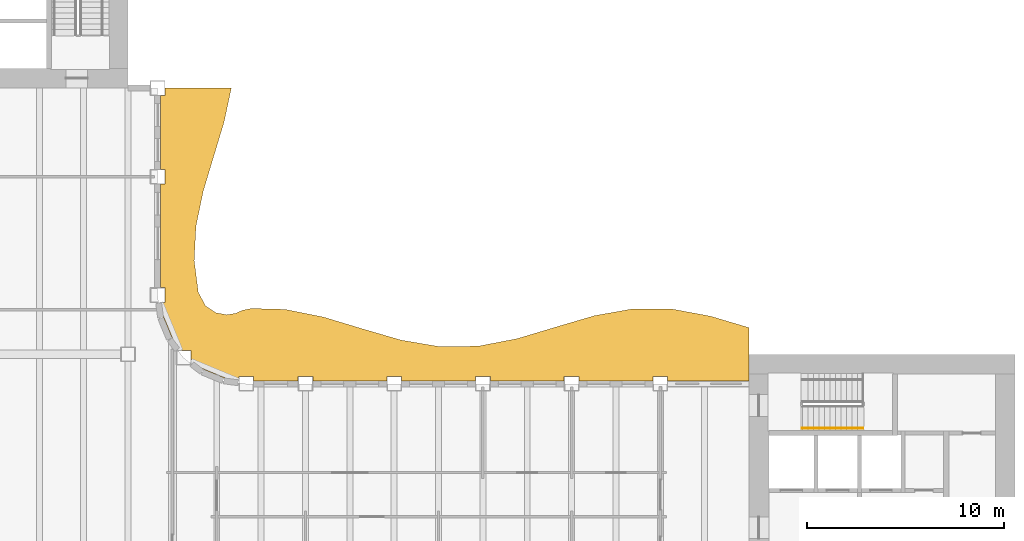
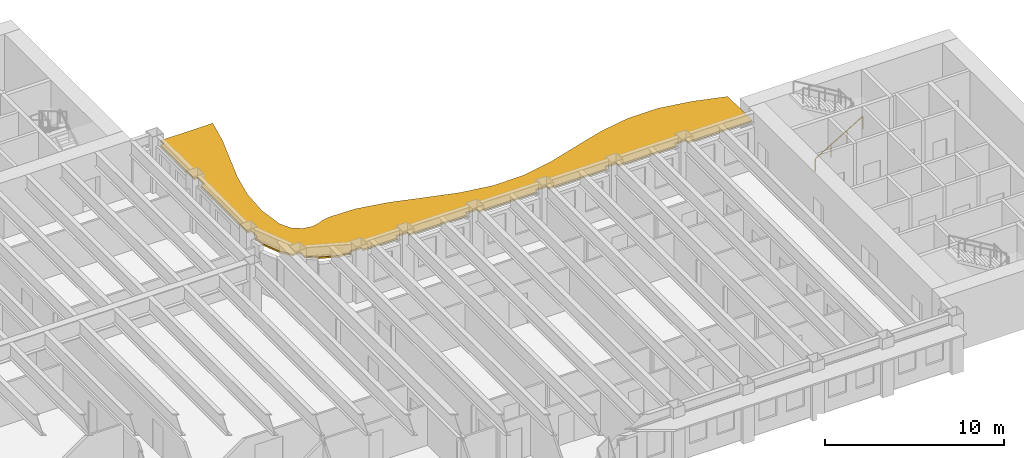
# One storey, part 15 of 17: 1 railing, 1 shading device.
"""IFC4 building model written with IfcOpenShell, lengths in metres."""

from ifc_helpers import new_model, si_unit, direction, frame, origin, origin_2d, place, context, subcontext, project, spatial, polyline, rectangle, outline, extrude, material, layer, layer_set, type_object, element, save


model = new_model("IFC4")

# Units and contexts
model_context = context("Model", 3, precision=1e-05, world=origin(), true_north=direction((0.0, 1.0)))
body_context = subcontext(model_context, "Body", "Model", "MODEL_VIEW")
ifc_project = project(units=[si_unit("LENGTHUNIT", "METRE"), si_unit("AREAUNIT", "SQUARE_METRE"), si_unit("VOLUMEUNIT", "CUBIC_METRE"), si_unit("PLANEANGLEUNIT", "RADIAN"), si_unit("MASSUNIT", "GRAM", prefix="KILO")], contexts=[model_context])

# Site, building, storey
site_placement = place(None, origin())
site = spatial("IfcSite", under=ifc_project, at=site_placement, CompositionType="ELEMENT")
building_placement = place(site_placement, origin())
building = spatial("IfcBuilding", under=site, at=building_placement, Name="Sennacour Bend Tower", CompositionType="ELEMENT")
storey_placement = place(building_placement, frame((0.0, 0.0, 219.0)))
storey = spatial("IfcBuildingStorey", under=building, at=storey_placement, Name="L50", CompositionType="ELEMENT", Elevation=219.0)

# Railing
ifc_material_1 = material(Name="Stainless steel", Category="steel")
railing_type = type_object("IfcRailingType", Name="RL-HANDRAIL-900", PredefinedType="HANDRAIL", material=ifc_material_1)
railing_placement = place(storey_placement, frame((56.699951171875, 18.75, 0.166748046875)))
element("IfcRailing", 1, at=railing_placement, inside=storey, type_object=railing_type, Name="L50 SA2 stair handrail 1", PredefinedType="HANDRAIL", context=body_context, shape_type="SweptSolid", body=[
    extrude(rectangle(XDim=0.048095703125, YDim=0.048095703125, at=origin_2d()), frame((0.0, 0.0, 0.8759765625), z_axis=(0.859308565015, 0.0, 0.511457515432), x_axis=(0.0, 1.0, 0.0)), (0.0, 0.0, 1.0), 3.58447265625),
    extrude(rectangle(XDim=0.0419921875, YDim=0.0419921875, at=origin_2d()), origin(), (0.0, 0.0, 1.0), 0.851806640625),
    extrude(rectangle(XDim=0.0419921875, YDim=0.0419921875, at=origin_2d()), frame((1.026611328125, 0.0, 0.611083984375)), (0.0, 0.0, 1.0), 0.851806640625),
    extrude(rectangle(XDim=0.0419921875, YDim=0.0419921875, at=origin_2d()), frame((2.053466796875, 0.0, 1.22216796875)), (0.0, 0.0, 1.0), 0.851806640625),
    extrude(rectangle(XDim=0.0419921875, YDim=0.0419921875, at=origin_2d()), frame((3.080078125, 0.0, 1.833251953125)), (0.0, 0.0, 1.0), 0.851806640625),
])

# Shading device
ifc_material_2 = material(Name="Bronze anodised aluminium", Category="aluminium")
ifc_layer = layer(ifc_material_2, 0.1201171875, Name="Bronze anodised aluminium", Category="aluminium")
ifc_layer_set = layer_set([ifc_layer], Name="Bronze anodised aluminium")
shading_device_type = type_object("IfcShadingDeviceType", Name="SUNSHADE BAND WAVE", PredefinedType="USERDEFINED", material=ifc_layer_set)
shading_device_placement = place(storey_placement, frame((0.0, 0.0, 3.037109375)))
element("IfcShadingDevice", 2, at=shading_device_placement, inside=storey, type_object=shading_device_type, Name="Sunshade band L50 concave faces", ObjectType="SUNSHADE", PredefinedType="USERDEFINED", context=body_context, shape_type="SweptSolid", body=[
    extrude(outline(polyline([(54.0, 21.14990234375), (49.875, 21.14990234375), (49.875, 21.375), (49.125, 21.375), (49.125, 21.14990234375), (45.375, 21.14990234375), (45.375, 21.375), (44.625, 21.375), (44.625, 21.14990234375), (40.875, 21.14990234375), (40.875, 21.375), (40.125, 21.375), (40.125, 21.14990234375), (36.375, 21.14990234375), (36.375, 21.375), (35.625, 21.375), (35.625, 21.14990234375), (31.875, 21.14990234375), (31.875, 21.375), (31.125, 21.375), (31.125, 21.14990234375), (28.875, 21.14990234375), (28.875, 21.375), (28.125, 21.375), (28.125, 21.20068359375), (27.37451171875, 21.299560546875), (26.32568359375, 21.73388671875), (25.693115234375, 22.21923828125), (25.693115234375, 22.693115234375), (25.21923828125, 22.693115234375), (24.73388671875, 23.32568359375), (24.299560546875, 24.37451171875), (24.20068359375, 25.125), (24.375, 25.125), (24.375, 25.875), (24.14990234375, 25.875), (24.14990234375, 31.125), (24.375, 31.125), (24.375, 31.875), (24.14990234375, 31.875), (24.14990234375, 35.625), (24.375, 35.625), (24.375, 36.0), (27.738525390625, 36.0), (27.36328125, 34.25), (26.83349609375, 32.5), (26.308837890625, 30.75), (25.947021484375, 29.0), (25.856201171875, 27.25), (26.064208984375, 25.63525390625), (26.4365234375, 24.947021484375), (26.95458984375, 24.60791015625), (27.50244140625, 24.50244140625), (27.966796875, 24.576416015625), (28.293212890625, 24.72802734375), (28.75048828125, 24.82177734375), (30.46142578125, 24.777099609375), (32.423095703125, 24.384521484375), (34.384521484375, 23.79150390625), (36.34619140625, 23.220458984375), (38.3076171875, 22.885498046875), (40.269287109375, 22.912353515625), (42.230712890625, 23.291015625), (44.1923828125, 23.87939453125), (46.15380859375, 24.45654296875), (48.115478515625, 24.806396484375), (50.076904296875, 24.79736328125), (52.03857421875, 24.43310546875), (54.0, 23.85009765625), (54.0, 21.14990234375)])), origin(), (0.0, 0.0, 1.0), 0.119873046875),
])

save(model, "model.ifc")
